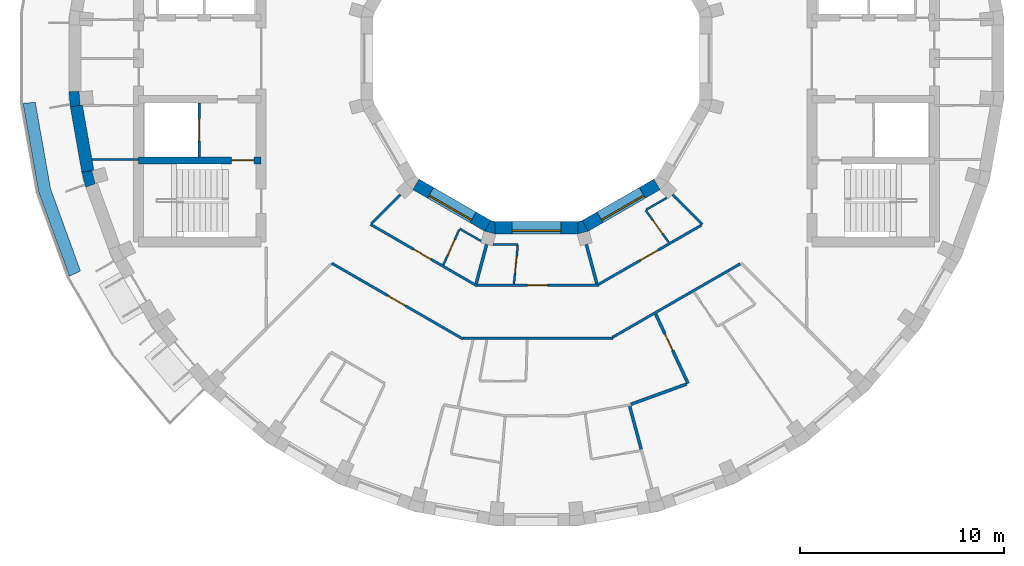
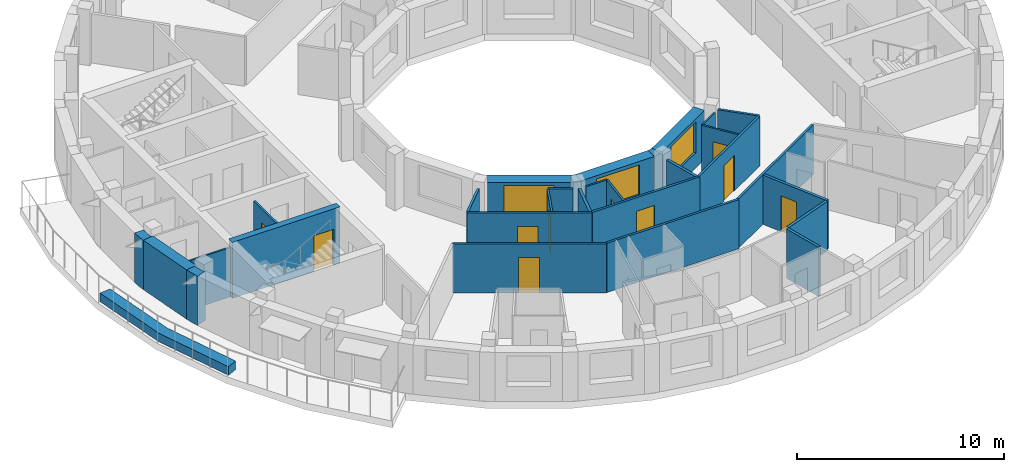
# One storey, part 3 of 10: 31 walls, 10 doors, 3 windows, 13 openings.
"""IFC4 building model written with IfcOpenShell, lengths in metres."""

from ifc_helpers import new_model, si_unit, direction, frame, frame_2d, origin, place, context, subcontext, project, spatial, polyline, rectangle, outline, extrude, material, layer, layer_set, type_object, element, fill, save


model = new_model("IFC4")

# Units and contexts
model_context = context("Model", 3, precision=1e-05, world=origin(), true_north=direction((0.0, 1.0)))
body_context = subcontext(model_context, "Body", "Model", "MODEL_VIEW")
ifc_project = project(units=[si_unit("LENGTHUNIT", "METRE"), si_unit("AREAUNIT", "SQUARE_METRE"), si_unit("VOLUMEUNIT", "CUBIC_METRE"), si_unit("PLANEANGLEUNIT", "RADIAN"), si_unit("MASSUNIT", "GRAM", prefix="KILO")], contexts=[model_context])

# Site, building, storey
site_placement = place(None, origin())
site = spatial("IfcSite", under=ifc_project, at=site_placement, CompositionType="ELEMENT")
building_placement = place(site_placement, origin())
building = spatial("IfcBuilding", under=site, at=building_placement, Name="Saqina Gate Tower", CompositionType="ELEMENT")
storey_placement = place(building_placement, frame((0.0, 0.0, 249.5)))
storey = spatial("IfcBuildingStorey", under=building, at=storey_placement, Name="L71", CompositionType="ELEMENT", Elevation=249.5)

# Walls
ifc_material_1 = material(Name="Brick masonry (buff)", Category="masonry")
wall_type_1 = type_object("IfcWallType", Name="BRICK PIER COPING BUFF", PredefinedType="SOLIDWALL", material=ifc_material_1)
wall_1_placement = place(storey_placement, origin())
element("IfcWall", 1, at=wall_1_placement, inside=storey, type_object=wall_type_1, Name="Pier cap L71 column 19", PredefinedType="SOLIDWALL", context=body_context, shape_type="SweptSolid", body=[
    extrude(outline(polyline([(-22.91259765625, -1.625732421875), (-22.8466796875, -2.377685546875), (-22.255859375, -2.2734375), (-22.361083984375, -2.28271484375), (-22.417724609375, -1.635009765625), (-22.3125, -1.625732421875), (-22.91259765625, -1.625732421875)])), origin(), (0.0, 0.0, 1.0), 2.89990234375),
])
wall_2_placement = place(storey_placement, origin())
element("IfcWall", 2, at=wall_2_placement, inside=storey, type_object=wall_type_1, Name="Pier cap L71 column 20", PredefinedType="SOLIDWALL", context=body_context, shape_type="SweptSolid", body=[
    extrude(outline(polyline([(-22.0869140625, -6.30859375), (-21.52294921875, -6.103515625), (-21.625, -6.130859375), (-21.793212890625, -5.5029296875), (-21.691162109375, -5.4755859375), (-22.281982421875, -5.579833984375), (-22.0869140625, -6.30859375)])), origin(), (0.0, 0.0, 1.0), 2.89990234375),
])
ifc_material_2 = material(Name="Gypsum board on steel studs", Category="steel")
ifc_layer_1 = layer(ifc_material_2, 0.10009765625)
ifc_layer_set_1 = layer_set([ifc_layer_1], Name="CORE PARTITION")
wall_type_2 = type_object("IfcWallType", Name="CORE PARTITION", PredefinedType="PARTITIONING", material=ifc_layer_set_1)
wall_3_placement = place(storey_placement, frame((-19.5, -4.949951171875, 0.0), z_axis=(0.0, 0.0, 1.0), x_axis=(-1.0, 0.0, 0.0)))
element("IfcWall", 3, at=wall_3_placement, inside=storey, type_object=wall_type_2, Name="L71-CP-W04", PredefinedType="PARTITIONING", context=body_context, shape_type="SweptSolid", body=[
    extrude(rectangle(XDim=2.283935546875, YDim=0.10009765625, at=frame_2d((1.14208984375, 0.0))), origin(), (0.0, 0.0, 1.0), 2.89990234375),
])
ifc_material_3 = material(Name="Glazed ceramic tile (dark blue)", Category="ceramic")
ifc_layer_2 = layer(ifc_material_3, 0.60009765625)
ifc_layer_set_2 = layer_set([ifc_layer_2], Name="FW-TILE-CB")
wall_type_3 = type_object("IfcWallType", Name="FW-TILE-CB", PredefinedType="SOLIDWALL", material=ifc_layer_set_2)
wall_4_placement = place(storey_placement, frame((-22.55126953125, -2.325439453125, 0.0), z_axis=(0.0, 0.0, 1.0), x_axis=(0.173656842178, -0.984806225186, 0.0)))
element("IfcWall", 4, at=wall_4_placement, inside=storey, type_object=wall_type_3, Name="Facade wall L71 facet 19", PredefinedType="SOLIDWALL", context=body_context, shape_type="SweptSolid", body=[
    extrude(rectangle(XDim=3.251708984375, YDim=0.60009765625, at=frame_2d((1.6259765625, 0.0))), origin(), (0.0, 0.0, 1.0), 2.89990234375),
])

# Wall, opening, window
ifc_material_4 = material(Name="Glazed ceramic tile", Category="ceramic")
ifc_layer_3 = layer(ifc_material_4, 0.60009765625)
ifc_layer_set_3 = layer_set([ifc_layer_3], Name="IW-TILE")
wall_type_4 = type_object("IfcWallType", Name="IW-TILE", PredefinedType="SOLIDWALL", material=ifc_layer_set_3)
wall_5_placement = place(storey_placement, frame((-5.907470703125, -6.17333984375, 0.0), z_axis=(0.0, 0.0, 1.0), x_axis=(0.866028316509, -0.499994954979, 0.0)))
wall_5 = element("IfcWall", 5, at=wall_5_placement, inside=storey, type_object=wall_type_4, Name="Well wall L71 facet 8", PredefinedType="SOLIDWALL", context=body_context, shape_type="SweptSolid", body=[
    extrude(rectangle(XDim=4.05859375, YDim=0.60009765625, at=frame_2d((2.029296875, 0.0))), origin(), (0.0, 0.0, 1.0), 2.89990234375),
])
opening_1_placement = place(wall_5_placement, frame((0.829345703125, 0.0, 0.89990234375)))
opening_1 = element("IfcOpeningElement", 6, at=opening_1_placement, cuts=wall_5, Name="Opening G21-W32", PredefinedType="OPENING", context=body_context, shape_type="SweptSolid", body=[
    extrude(rectangle(XDim=2.39990234375, YDim=1.800048828125, at=frame_2d((1.199951171875, 0.89990234375))), frame((0.0, 0.31201171875, 0.0), z_axis=(0.0, -1.0, 0.0), x_axis=(1.0, 0.0, 0.0)), (0.0, 0.0, 1.0), 0.6240234375),
])
ifc_material_5 = material(Name="Aluminium glazing", Category="aluminium")
window_type = type_object("IfcWindowType", Name="WN-W", PartitioningType="SINGLE_PANEL", PredefinedType="WINDOW", material=ifc_material_5)
window_1_placement = place(opening_1_placement, origin())
window_1 = element("IfcWindow", 7, at=window_1_placement, inside=storey, type_object=window_type, Name="Well window L71 facet 8", OverallHeight=1.800048828125, OverallWidth=2.39990234375, PartitioningType="SINGLE_PANEL", PredefinedType="WINDOW", context=body_context, shape_type="SweptSolid", body=[
    extrude(rectangle(XDim=2.39990234375, YDim=1.800048828125, at=frame_2d((1.199951171875, 0.89990234375))), frame((0.0, -0.119873046875, 0.0), z_axis=(0.0, -1.0, 0.0), x_axis=(1.0, 0.0, 0.0)), (0.0, 0.0, 1.0), 0.06005859375),
])
fill(opening_1, window_1)

wall_6_placement = place(storey_placement, frame((-2.029296875, -8.300048828125, 0.0), z_axis=(0.0, 0.0, 1.0), x_axis=(1.0, 0.0, 0.0)))
wall_6 = element("IfcWall", 8, at=wall_6_placement, inside=storey, type_object=wall_type_4, Name="Well wall L71 facet 9", PredefinedType="SOLIDWALL", context=body_context, shape_type="SweptSolid", body=[
    extrude(rectangle(XDim=4.05859375, YDim=0.60009765625, at=frame_2d((2.029296875, 0.0))), origin(), (0.0, 0.0, 1.0), 2.89990234375),
])
opening_2_placement = place(wall_6_placement, frame((0.829345703125, 0.0, 0.89990234375)))
opening_2 = element("IfcOpeningElement", 9, at=opening_2_placement, cuts=wall_6, Name="Opening G21-W33", PredefinedType="OPENING", context=body_context, shape_type="SweptSolid", body=[
    extrude(rectangle(XDim=2.39990234375, YDim=1.800048828125, at=frame_2d((1.199951171875, 0.89990234375))), frame((0.0, 0.31201171875, 0.0), z_axis=(0.0, -1.0, 0.0), x_axis=(1.0, 0.0, 0.0)), (0.0, 0.0, 1.0), 0.6240234375),
])
window_2_placement = place(opening_2_placement, origin())
window_2 = element("IfcWindow", 10, at=window_2_placement, inside=storey, type_object=window_type, Name="Well window L71 facet 9", OverallHeight=1.800048828125, OverallWidth=2.39990234375, PartitioningType="SINGLE_PANEL", PredefinedType="WINDOW", context=body_context, shape_type="SweptSolid", body=[
    extrude(rectangle(XDim=2.39990234375, YDim=1.800048828125, at=frame_2d((1.199951171875, 0.89990234375))), frame((0.0, -0.119873046875, 0.0), z_axis=(0.0, -1.0, 0.0), x_axis=(1.0, 0.0, 0.0)), (0.0, 0.0, 1.0), 0.06005859375),
])
fill(opening_2, window_2)

wall_7_placement = place(storey_placement, frame((2.392578125, -8.20263671875, 0.0), z_axis=(0.0, 0.0, 1.0), x_axis=(0.866028316509, 0.499994954979, 0.0)))
wall_7 = element("IfcWall", 11, at=wall_7_placement, inside=storey, type_object=wall_type_4, Name="Well wall L71 facet 10", PredefinedType="SOLIDWALL", context=body_context, shape_type="SweptSolid", body=[
    extrude(rectangle(XDim=4.05859375, YDim=0.60009765625, at=frame_2d((2.029296875, 0.0))), origin(), (0.0, 0.0, 1.0), 2.89990234375),
])
opening_3_placement = place(wall_7_placement, frame((0.829345703125, 0.0, 0.89990234375)))
opening_3 = element("IfcOpeningElement", 12, at=opening_3_placement, cuts=wall_7, Name="Opening G21-W34", PredefinedType="OPENING", context=body_context, shape_type="SweptSolid", body=[
    extrude(rectangle(XDim=2.39990234375, YDim=1.800048828125, at=frame_2d((1.199951171875, 0.89990234375))), frame((0.0, 0.31201171875, 0.0), z_axis=(0.0, -1.0, 0.0), x_axis=(1.0, 0.0, 0.0)), (0.0, 0.0, 1.0), 0.6240234375),
])
window_3_placement = place(opening_3_placement, origin())
window_3 = element("IfcWindow", 13, at=window_3_placement, inside=storey, type_object=window_type, Name="Well window L71 facet 10", OverallHeight=1.800048828125, OverallWidth=2.39990234375, PartitioningType="SINGLE_PANEL", PredefinedType="WINDOW", context=body_context, shape_type="SweptSolid", body=[
    extrude(rectangle(XDim=2.39990234375, YDim=1.800048828125, at=frame_2d((1.199951171875, 0.89990234375))), frame((0.0, -0.119873046875, 0.0), z_axis=(0.0, -1.0, 0.0), x_axis=(1.0, 0.0, 0.0)), (0.0, 0.0, 1.0), 0.06005859375),
])
fill(opening_3, window_3)

# Wall, opening, door
ifc_material_6 = material(Name="Gypsum board on steel studs, 100 mm", Category="steel")
ifc_layer_4 = layer(ifc_material_6, 0.10009765625)
ifc_layer_set_4 = layer_set([ifc_layer_4], Name="PARTITION 100")
wall_type_5 = type_object("IfcWallType", Name="PARTITION 100", PredefinedType="PARTITIONING", material=ifc_layer_set_4)
wall_8_placement = place(storey_placement, frame((5.344970703125, -7.43310546875, 0.0), z_axis=(0.0, 0.0, 1.0), x_axis=(0.583667050837, -0.811993087266, 0.0)))
wall_8 = element("IfcWall", 14, at=wall_8_placement, inside=storey, type_object=wall_type_5, Name="PARTITION PW3-12", PredefinedType="PARTITIONING", context=body_context, shape_type="SweptSolid", body=[
    extrude(rectangle(XDim=1.947021484375, YDim=0.10009765625, at=frame_2d((0.9736328125, 0.0))), origin(), (0.0, 0.0, 1.0), 2.89990234375),
])
opening_4_placement = place(wall_8_placement, frame((0.60498046875, 0.0, 0.0)))
opening_4 = element("IfcOpeningElement", 15, at=opening_4_placement, cuts=wall_8, Name="Opening G21-D42", PredefinedType="OPENING", context=body_context, shape_type="SweptSolid", body=[
    extrude(rectangle(XDim=0.800048828125, YDim=2.10009765625, at=frame_2d((0.39990234375, 1.050048828125))), frame((0.0, 0.06201171875, 0.0), z_axis=(0.0, -1.0, 0.0), x_axis=(1.0, 0.0, 0.0)), (0.0, 0.0, 1.0), 0.1240234375),
])
ifc_material_7 = material(Name="Timber door leaf, 800 mm", Category="wood")
door_type_1 = type_object("IfcDoorType", Name="DOOR 800 TIMBER", OperationType="SINGLE_SWING_LEFT", PredefinedType="DOOR", material=ifc_material_7)
door_1_placement = place(opening_4_placement, origin())
door_1 = element("IfcDoor", 16, at=door_1_placement, inside=storey, type_object=door_type_1, Name="DOOR G21-D42", OperationType="SINGLE_SWING_LEFT", OverallHeight=2.10009765625, OverallWidth=0.800048828125, PredefinedType="DOOR", context=body_context, shape_type="SweptSolid", body=[
    extrude(rectangle(XDim=0.800048828125, YDim=2.10009765625, at=frame_2d((0.39990234375, 1.050048828125))), frame((0.0, 0.02490234375, 0.0), z_axis=(0.0, -1.0, 0.0), x_axis=(1.0, 0.0, 0.0)), (0.0, 0.0, 1.0), 0.050048828125),
])
fill(opening_4, door_1)

# Walls
wall_9_placement = place(storey_placement, frame((-3.764892578125, -8.345947265625, 0.0), z_axis=(0.0, 0.0, 1.0), x_axis=(0.866057664494, -0.499944118649, 0.0)))
element("IfcWall", 17, at=wall_9_placement, inside=storey, type_object=wall_type_5, Name="PARTITION PW3-16", PredefinedType="PARTITIONING", context=body_context, shape_type="SweptSolid", body=[
    extrude(rectangle(XDim=1.207763671875, YDim=0.10009765625, at=frame_2d((0.60400390625, 0.0))), origin(), (0.0, 0.0, 1.0), 2.89990234375),
])
wall_10_placement = place(storey_placement, frame((-2.1201171875, -9.110107421875, 0.0), z_axis=(0.0, 0.0, 1.0), x_axis=(1.0, 0.0, 0.0)))
element("IfcWall", 18, at=wall_10_placement, inside=storey, type_object=wall_type_5, Name="PARTITION PW3-25", PredefinedType="PARTITIONING", context=body_context, shape_type="SweptSolid", body=[
    extrude(rectangle(XDim=1.2080078125, YDim=0.10009765625, at=frame_2d((0.60400390625, 0.0))), origin(), (0.0, 0.0, 1.0), 2.89990234375),
])
wall_11_placement = place(storey_placement, frame((5.388427734375, -7.407958984375, 0.0), z_axis=(0.0, 0.0, 1.0), x_axis=(0.866132916787, 0.499813735764, 0.0)))
element("IfcWall", 19, at=wall_11_placement, inside=storey, type_object=wall_type_5, Name="PARTITION PW3-33", PredefinedType="PARTITIONING", context=body_context, shape_type="SweptSolid", body=[
    extrude(rectangle(XDim=1.15771484375, YDim=0.10009765625, at=frame_2d((0.578857421875, 0.0))), origin(), (0.0, 0.0, 1.0), 2.89990234375),
])

# Wall, opening, door
wall_12_placement = place(storey_placement, frame((-4.566162109375, -10.12060546875, 0.0), z_axis=(0.0, 0.0, 1.0), x_axis=(0.411445339517, 0.911434436803, 0.0)))
wall_12 = element("IfcWall", 20, at=wall_12_placement, inside=storey, type_object=wall_type_5, Name="PARTITION PW3-42", PredefinedType="PARTITIONING", context=body_context, shape_type="SweptSolid", body=[
    extrude(rectangle(XDim=1.89697265625, YDim=0.10009765625, at=frame_2d((0.948486328125, 0.0))), origin(), (0.0, 0.0, 1.0), 2.89990234375),
])
opening_5_placement = place(wall_12_placement, frame((0.5419921875, 0.0, 0.0)))
opening_5 = element("IfcOpeningElement", 21, at=opening_5_placement, cuts=wall_12, Name="Opening G21-D28", PredefinedType="OPENING", context=body_context, shape_type="SweptSolid", body=[
    extrude(rectangle(XDim=0.800048828125, YDim=2.10009765625, at=frame_2d((0.39990234375, 1.050048828125))), frame((0.0, 0.06201171875, 0.0), z_axis=(0.0, -1.0, 0.0), x_axis=(1.0, 0.0, 0.0)), (0.0, 0.0, 1.0), 0.1240234375),
])
door_2_placement = place(opening_5_placement, frame((0.800048828125, 0.0, 0.0), z_axis=(0.0, 0.0, 1.0), x_axis=(-1.0, 0.0, 0.0)))
door_2 = element("IfcDoor", 22, at=door_2_placement, inside=storey, type_object=door_type_1, Name="DOOR G21-D28", OperationType="SINGLE_SWING_LEFT", OverallHeight=2.10009765625, OverallWidth=0.800048828125, PredefinedType="DOOR", context=body_context, shape_type="SweptSolid", body=[
    extrude(rectangle(XDim=0.800048828125, YDim=2.10009765625, at=frame_2d((0.39990234375, 1.050048828125))), frame((0.0, 0.02490234375, 0.0), z_axis=(0.0, -1.0, 0.0), x_axis=(1.0, 0.0, 0.0)), (0.0, 0.0, 1.0), 0.050048828125),
])
fill(opening_5, door_2)

wall_13_placement = place(storey_placement, frame((-1.105712890625, -11.0478515625, 0.0), z_axis=(0.0, 0.0, 1.0), x_axis=(0.09945276516, 0.995042284278, 0.0)))
wall_13 = element("IfcWall", 23, at=wall_13_placement, inside=storey, type_object=wall_type_5, Name="PARTITION PW3-48", PredefinedType="PARTITIONING", context=body_context, shape_type="SweptSolid", body=[
    extrude(rectangle(XDim=1.897705078125, YDim=0.10009765625, at=frame_2d((0.94873046875, 0.0))), origin(), (0.0, 0.0, 1.0), 2.89990234375),
])
opening_6_placement = place(wall_13_placement, frame((0.54248046875, 0.0, 0.0)))
opening_6 = element("IfcOpeningElement", 24, at=opening_6_placement, cuts=wall_13, Name="Opening G21-D33", PredefinedType="OPENING", context=body_context, shape_type="SweptSolid", body=[
    extrude(rectangle(XDim=0.800048828125, YDim=2.10009765625, at=frame_2d((0.39990234375, 1.050048828125))), frame((0.0, 0.06201171875, 0.0), z_axis=(0.0, -1.0, 0.0), x_axis=(1.0, 0.0, 0.0)), (0.0, 0.0, 1.0), 0.1240234375),
])
door_3_placement = place(opening_6_placement, frame((0.800048828125, 0.0, 0.0), z_axis=(0.0, 0.0, 1.0), x_axis=(-1.0, 0.0, 0.0)))
door_3 = element("IfcDoor", 25, at=door_3_placement, inside=storey, type_object=door_type_1, Name="DOOR G21-D33", OperationType="SINGLE_SWING_RIGHT", OverallHeight=2.10009765625, OverallWidth=0.800048828125, PredefinedType="DOOR", context=body_context, shape_type="SweptSolid", body=[
    extrude(rectangle(XDim=0.800048828125, YDim=2.10009765625, at=frame_2d((0.39990234375, 1.050048828125))), frame((0.0, 0.02490234375, 0.0), z_axis=(0.0, -1.0, 0.0), x_axis=(1.0, 0.0, 0.0)), (0.0, 0.0, 1.0), 0.050048828125),
])
fill(opening_6, door_3)

# Wall
ifc_material_8 = material(Name="Gypsum board on steel studs, 125 mm, fire rated", Category="steel")
ifc_layer_5 = layer(ifc_material_8, 0.125)
ifc_layer_set_5 = layer_set([ifc_layer_5], Name="PARTITION EI 30 125")
wall_type_6 = type_object("IfcWallType", Name="PARTITION EI 30 125", PredefinedType="PARTITIONING", material=ifc_layer_set_5)
wall_14_placement = place(storey_placement, frame((6.6767578125, -6.6767578125, 0.0), z_axis=(0.0, 0.0, 1.0), x_axis=(0.707106781187, -0.707106781187, 0.0)))
element("IfcWall", 26, at=wall_14_placement, inside=storey, type_object=wall_type_6, Name="PARTITION PW1-06", PredefinedType="PARTITIONING", context=body_context, shape_type="SweptSolid", body=[
    extrude(rectangle(XDim=2.0595703125, YDim=0.125, at=frame_2d((1.02978515625, 0.0))), origin(), (0.0, 0.0, 1.0), 2.89990234375),
])

# Wall, opening, door
wall_15_placement = place(storey_placement, frame((-10.035888671875, -10.035888671875, 0.0), z_axis=(0.0, 0.0, 1.0), x_axis=(0.865964194244, -0.500106003051, 0.0)))
wall_15 = element("IfcWall", 27, at=wall_15_placement, inside=storey, type_object=wall_type_6, Name="PARTITION PW1-09", PredefinedType="PARTITIONING", context=body_context, shape_type="SweptSolid", body=[
    extrude(rectangle(XDim=7.419921875, YDim=0.125, at=frame_2d((3.7099609375, 0.0))), origin(), (0.0, 0.0, 1.0), 2.89990234375),
])
opening_7_placement = place(wall_15_placement, frame((3.17333984375, 0.0, 0.0)))
opening_7 = element("IfcOpeningElement", 28, at=opening_7_placement, cuts=wall_15, Name="Opening G21-D26", PredefinedType="OPENING", context=body_context, shape_type="SweptSolid", body=[
    extrude(rectangle(XDim=1.0, YDim=2.10009765625, at=frame_2d((0.5, 1.050048828125))), frame((0.0, 0.074462890625, 0.0), z_axis=(0.0, -1.0, 0.0), x_axis=(1.0, 0.0, 0.0)), (0.0, 0.0, 1.0), 0.14892578125),
])
ifc_material_9 = material(Name="Fire door leaf EI 30, 1000 mm")
door_type_2 = type_object("IfcDoorType", Name="DOOR 1000 EI 30", OperationType="SINGLE_SWING_LEFT", PredefinedType="DOOR", material=ifc_material_9)
door_4_placement = place(opening_7_placement, frame((1.0, 0.0, 0.0), z_axis=(0.0, 0.0, 1.0), x_axis=(-1.0, 0.0, 0.0)))
door_4 = element("IfcDoor", 29, at=door_4_placement, inside=storey, type_object=door_type_2, Name="DOOR G21-D26", OperationType="SINGLE_SWING_RIGHT", OverallHeight=2.10009765625, OverallWidth=1.0, PredefinedType="DOOR", context=body_context, shape_type="SweptSolid", body=[
    extrude(rectangle(XDim=1.0, YDim=2.10009765625, at=frame_2d((0.5, 1.050048828125))), frame((0.0, 0.02490234375, 0.0), z_axis=(0.0, -1.0, 0.0), x_axis=(1.0, 0.0, 0.0)), (0.0, 0.0, 1.0), 0.050048828125),
])
fill(opening_7, door_4)

wall_16_placement = place(storey_placement, frame((-8.133056640625, -8.133056640625, 0.0), z_axis=(0.0, 0.0, 1.0), x_axis=(0.866022982797, -0.500004193249, 0.0)))
wall_16 = element("IfcWall", 30, at=wall_16_placement, inside=storey, type_object=wall_type_6, Name="PARTITION PW1-10", PredefinedType="PARTITIONING", context=body_context, shape_type="SweptSolid", body=[
    extrude(rectangle(XDim=6.02587890625, YDim=0.125, at=frame_2d((3.012939453125, 0.0))), origin(), (0.0, 0.0, 1.0), 2.89990234375),
])
opening_8_placement = place(wall_16_placement, frame((2.42626953125, 0.0, 0.0)))
opening_8 = element("IfcOpeningElement", 31, at=opening_8_placement, cuts=wall_16, Name="Opening G21-D25", PredefinedType="OPENING", context=body_context, shape_type="SweptSolid", body=[
    extrude(rectangle(XDim=1.0, YDim=2.10009765625, at=frame_2d((0.5, 1.050048828125))), frame((0.0, 0.074462890625, 0.0), z_axis=(0.0, -1.0, 0.0), x_axis=(1.0, 0.0, 0.0)), (0.0, 0.0, 1.0), 0.14892578125),
])
door_5_placement = place(opening_8_placement, origin())
door_5 = element("IfcDoor", 32, at=door_5_placement, inside=storey, type_object=door_type_2, Name="DOOR G21-D25", OperationType="SINGLE_SWING_RIGHT", OverallHeight=2.10009765625, OverallWidth=1.0, PredefinedType="DOOR", context=body_context, shape_type="SweptSolid", body=[
    extrude(rectangle(XDim=1.0, YDim=2.10009765625, at=frame_2d((0.5, 1.050048828125))), frame((0.0, 0.02490234375, 0.0), z_axis=(0.0, -1.0, 0.0), x_axis=(1.0, 0.0, 0.0)), (0.0, 0.0, 1.0), 0.050048828125),
])
fill(opening_8, door_5)

# Wall
wall_17_placement = place(storey_placement, frame((-3.610595703125, -13.7099609375, 0.0), z_axis=(0.0, 0.0, 1.0), x_axis=(1.0, 0.0, 0.0)))
element("IfcWall", 33, at=wall_17_placement, inside=storey, type_object=wall_type_6, Name="PARTITION PW1-17", PredefinedType="PARTITIONING", context=body_context, shape_type="SweptSolid", body=[
    extrude(rectangle(XDim=7.356689453125, YDim=0.125, at=frame_2d((3.67822265625, 0.0))), origin(), (0.0, 0.0, 1.0), 2.89990234375),
])

# Wall, opening, door
wall_18_placement = place(storey_placement, frame((-2.91455078125, -11.110107421875, 0.0), z_axis=(0.0, 0.0, 1.0), x_axis=(1.0, 0.0, 0.0)))
wall_18 = element("IfcWall", 34, at=wall_18_placement, inside=storey, type_object=wall_type_6, Name="PARTITION PW1-18", PredefinedType="PARTITIONING", context=body_context, shape_type="SweptSolid", body=[
    extrude(rectangle(XDim=5.97802734375, YDim=0.125, at=frame_2d((2.989013671875, 0.0))), origin(), (0.0, 0.0, 1.0), 2.89990234375),
])
opening_9_placement = place(wall_18_placement, frame((2.465087890625, 0.0, 0.0)))
opening_9 = element("IfcOpeningElement", 35, at=opening_9_placement, cuts=wall_18, Name="Opening G21-D35", PredefinedType="OPENING", context=body_context, shape_type="SweptSolid", body=[
    extrude(rectangle(XDim=1.0, YDim=2.10009765625, at=frame_2d((0.5, 1.050048828125))), frame((0.0, 0.074462890625, 0.0), z_axis=(0.0, -1.0, 0.0), x_axis=(1.0, 0.0, 0.0)), (0.0, 0.0, 1.0), 0.14892578125),
])
door_6_placement = place(opening_9_placement, frame((1.0, 0.0, 0.0), z_axis=(0.0, 0.0, 1.0), x_axis=(-1.0, 0.0, 0.0)))
door_6 = element("IfcDoor", 36, at=door_6_placement, inside=storey, type_object=door_type_2, Name="DOOR G21-D35", OperationType="SINGLE_SWING_RIGHT", OverallHeight=2.10009765625, OverallWidth=1.0, PredefinedType="DOOR", context=body_context, shape_type="SweptSolid", body=[
    extrude(rectangle(XDim=1.0, YDim=2.10009765625, at=frame_2d((0.5, 1.050048828125))), frame((0.0, 0.02490234375, 0.0), z_axis=(0.0, -1.0, 0.0), x_axis=(1.0, 0.0, 0.0)), (0.0, 0.0, 1.0), 0.050048828125),
])
fill(opening_9, door_6)

# Wall
wall_19_placement = place(storey_placement, frame((3.723388671875, -13.67041015625, 0.0), z_axis=(0.0, 0.0, 1.0), x_axis=(0.866630430442, 0.498950595783, 0.0)))
element("IfcWall", 37, at=wall_19_placement, inside=storey, type_object=wall_type_6, Name="PARTITION PW1-23", PredefinedType="PARTITIONING", context=body_context, shape_type="SweptSolid", body=[
    extrude(rectangle(XDim=7.2216796875, YDim=0.125, at=frame_2d((3.61083984375, 0.0))), origin(), (0.0, 0.0, 1.0), 2.89990234375),
])

# Wall, opening, door
wall_20_placement = place(storey_placement, frame((3.0419921875, -11.072509765625, 0.0), z_axis=(0.0, 0.0, 1.0), x_axis=(0.866951194634, 0.498393043814, 0.0)))
wall_20 = element("IfcWall", 38, at=wall_20_placement, inside=storey, type_object=wall_type_6, Name="PARTITION PW1-24", PredefinedType="PARTITIONING", context=body_context, shape_type="SweptSolid", body=[
    extrude(rectangle(XDim=5.816162109375, YDim=0.125, at=frame_2d((2.908203125, 0.0))), origin(), (0.0, 0.0, 1.0), 2.89990234375),
])
opening_10_placement = place(wall_20_placement, frame((2.351318359375, 0.0, 0.0)))
opening_10 = element("IfcOpeningElement", 39, at=opening_10_placement, cuts=wall_20, Name="Opening G21-D38", PredefinedType="OPENING", context=body_context, shape_type="SweptSolid", body=[
    extrude(rectangle(XDim=1.0, YDim=2.10009765625, at=frame_2d((0.5, 1.050048828125))), frame((0.0, 0.074462890625, 0.0), z_axis=(0.0, -1.0, 0.0), x_axis=(1.0, 0.0, 0.0)), (0.0, 0.0, 1.0), 0.14892578125),
])
door_7_placement = place(opening_10_placement, origin())
door_7 = element("IfcDoor", 40, at=door_7_placement, inside=storey, type_object=door_type_2, Name="DOOR G21-D38", OperationType="SINGLE_SWING_RIGHT", OverallHeight=2.10009765625, OverallWidth=1.0, PredefinedType="DOOR", context=body_context, shape_type="SweptSolid", body=[
    extrude(rectangle(XDim=1.0, YDim=2.10009765625, at=frame_2d((0.5, 1.050048828125))), frame((0.0, 0.02490234375, 0.0), z_axis=(0.0, -1.0, 0.0), x_axis=(1.0, 0.0, 0.0)), (0.0, 0.0, 1.0), 0.050048828125),
])
fill(opening_10, door_7)

# Walls
wall_21_placement = place(storey_placement, frame((-8.0888671875, -8.0888671875, 0.0), z_axis=(0.0, 0.0, 1.0), x_axis=(0.707106781187, 0.707106781187, 0.0)))
element("IfcWall", 41, at=wall_21_placement, inside=storey, type_object=wall_type_6, Name="PARTITION PW1-28", PredefinedType="PARTITIONING", context=body_context, shape_type="SweptSolid", body=[
    extrude(rectangle(XDim=1.9970703125, YDim=0.125, at=frame_2d((0.99853515625, 0.0))), origin(), (0.0, 0.0, 1.0), 2.89990234375),
])
ifc_material_10 = material(Name="Gypsum board on steel studs, 150 mm, fire rated", Category="steel")
ifc_layer_6 = layer(ifc_material_10, 0.14990234375)
ifc_layer_set_6 = layer_set([ifc_layer_6], Name="PARTITION EI 60 150")
wall_type_7 = type_object("IfcWallType", Name="PARTITION EI 60 150", PredefinedType="PARTITIONING", material=ifc_layer_set_6)
wall_22_placement = place(storey_placement, frame((4.569580078125, -17.052490234375, 0.0), z_axis=(0.0, 0.0, 1.0), x_axis=(0.257984618888, -0.966149023918, 0.0)))
element("IfcWall", 42, at=wall_22_placement, inside=storey, type_object=wall_type_7, Name="PARTITION PW2-02", PredefinedType="PARTITIONING", context=body_context, shape_type="SweptSolid", body=[
    extrude(rectangle(XDim=2.1708984375, YDim=0.14990234375, at=frame_2d((1.08544921875, 0.0))), origin(), (0.0, 0.0, 1.0), 2.89990234375),
])
wall_23_placement = place(storey_placement, frame((2.444091796875, -9.120361328125, 0.0), z_axis=(0.0, 0.0, 1.0), x_axis=(0.258894940689, -0.965905486932, 0.0)))
element("IfcWall", 43, at=wall_23_placement, inside=storey, type_object=wall_type_7, Name="PARTITION PW2-03", PredefinedType="PARTITIONING", context=body_context, shape_type="SweptSolid", body=[
    extrude(rectangle(XDim=1.997314453125, YDim=0.14990234375, at=frame_2d((0.99853515625, 0.0))), origin(), (0.0, 0.0, 1.0), 2.89990234375),
])

# Wall, opening, door
wall_24_placement = place(storey_placement, frame((5.841796875, -12.530029296875, 0.0), z_axis=(0.0, 0.0, 1.0), x_axis=(0.422999465209, -0.906129931319, 0.0)))
wall_24 = element("IfcWall", 44, at=wall_24_placement, inside=storey, type_object=wall_type_7, Name="PARTITION PW2-04", PredefinedType="PARTITIONING", context=body_context, shape_type="SweptSolid", body=[
    extrude(rectangle(XDim=3.75146484375, YDim=0.14990234375, at=frame_2d((1.875732421875, 0.0))), origin(), (0.0, 0.0, 1.0), 2.89990234375),
])
opening_11_placement = place(wall_24_placement, frame((1.067626953125, 0.0, 0.0)))
opening_11 = element("IfcOpeningElement", 45, at=opening_11_placement, cuts=wall_24, Name="Opening G21-D37", PredefinedType="OPENING", context=body_context, shape_type="SweptSolid", body=[
    extrude(rectangle(XDim=0.89990234375, YDim=2.10009765625, at=frame_2d((0.449951171875, 1.050048828125))), frame((0.0, 0.0869140625, 0.0), z_axis=(0.0, -1.0, 0.0), x_axis=(1.0, 0.0, 0.0)), (0.0, 0.0, 1.0), 0.173828125),
])
ifc_material_11 = material(Name="Fire door leaf EI 30, 900 mm")
door_type_3 = type_object("IfcDoorType", Name="DOOR 900 EI 30", OperationType="SINGLE_SWING_LEFT", PredefinedType="DOOR", material=ifc_material_11)
door_8_placement = place(opening_11_placement, origin())
door_8 = element("IfcDoor", 46, at=door_8_placement, inside=storey, type_object=door_type_3, Name="DOOR G21-D37", OperationType="SINGLE_SWING_LEFT", OverallHeight=2.10009765625, OverallWidth=0.89990234375, PredefinedType="DOOR", context=body_context, shape_type="SweptSolid", body=[
    extrude(rectangle(XDim=0.89990234375, YDim=2.10009765625, at=frame_2d((0.449951171875, 1.050048828125))), frame((0.0, 0.02490234375, 0.0), z_axis=(0.0, -1.0, 0.0), x_axis=(1.0, 0.0, 0.0)), (0.0, 0.0, 1.0), 0.050048828125),
])
fill(opening_11, door_8)

# Walls
wall_25_placement = place(storey_placement, frame((4.62060546875, -16.95458984375, 0.0), z_axis=(0.0, 0.0, 1.0), x_axis=(0.939663701092, 0.342099589082, 0.0)))
element("IfcWall", 47, at=wall_25_placement, inside=storey, type_object=wall_type_7, Name="PARTITION PW2-07", PredefinedType="PARTITIONING", context=body_context, shape_type="SweptSolid", body=[
    extrude(rectangle(XDim=2.913818359375, YDim=0.14990234375, at=frame_2d((1.45703125, 0.0))), origin(), (0.0, 0.0, 1.0), 2.89990234375),
])
wall_26_placement = place(storey_placement, frame((-2.960693359375, -11.049560546875, 0.0), z_axis=(0.0, 0.0, 1.0), x_axis=(0.258780892738, 0.965936048377, 0.0)))
element("IfcWall", 48, at=wall_26_placement, inside=storey, type_object=wall_type_7, Name="PARTITION PW2-09", PredefinedType="PARTITIONING", context=body_context, shape_type="SweptSolid", body=[
    extrude(rectangle(XDim=1.997314453125, YDim=0.14990234375, at=frame_2d((0.99853515625, 0.0))), origin(), (0.0, 0.0, 1.0), 2.89990234375),
])
ifc_material_12 = material(Name="Brick masonry (red)", Category="masonry")
ifc_layer_7 = layer(ifc_material_12, 0.60009765625)
ifc_layer_set_7 = layer_set([ifc_layer_7], Name="PL-PLANTER")
wall_type_8 = type_object("IfcWallType", Name="PL-PLANTER", PredefinedType="PARAPET", material=ifc_layer_set_7)
wall_27_placement = place(storey_placement, origin())
element("IfcWall", 49, at=wall_27_placement, inside=storey, type_object=wall_type_8, Name="Planter L71", PredefinedType="PARAPET", context=body_context, shape_type="SweptSolid", body=[
    extrude(outline(polyline([(-25.16259765625, -2.201416015625), (-24.39794921875, -6.537353515625), (-22.89208984375, -10.6748046875), (-22.34619140625, -10.420166015625), (-23.816162109375, -6.381591796875), (-24.5625, -2.14892578125), (-25.16259765625, -2.201416015625)])), origin(), (0.0, 0.0, 1.0), 0.5),
])

# Wall, opening, door
ifc_material_13 = material(Name="Autoclaved aerated concrete block", Category="concrete")
ifc_layer_8 = layer(ifc_material_13, 0.1201171875)
ifc_layer_set_8 = layer_set([ifc_layer_8], Name="SHAFT PARTITION")
wall_type_9 = type_object("IfcWallType", Name="SHAFT PARTITION", PredefinedType="PARTITIONING", material=ifc_layer_set_8)
wall_28_placement = place(storey_placement, frame((-16.530029296875, -4.824951171875, 0.0), z_axis=(0.0, 0.0, 1.0), x_axis=(0.0, 1.0, 0.0)))
wall_28 = element("IfcWall", 50, at=wall_28_placement, inside=storey, type_object=wall_type_9, Name="L71-CP-W09", PredefinedType="PARTITIONING", context=body_context, shape_type="SweptSolid", body=[
    extrude(rectangle(XDim=2.64990234375, YDim=0.1201171875, at=frame_2d((1.324951171875, 0.0))), origin(), (0.0, 0.0, 1.0), 2.89990234375),
])
opening_12_placement = place(wall_28_placement, frame((0.77490234375, 0.0, 0.0)))
opening_12 = element("IfcOpeningElement", 51, at=opening_12_placement, cuts=wall_28, Name="Opening G21-LD6", PredefinedType="OPENING", context=body_context, shape_type="SweptSolid", body=[
    extrude(rectangle(XDim=1.10009765625, YDim=2.10009765625, at=frame_2d((0.550048828125, 1.050048828125))), frame((0.0, 0.072021484375, 0.0), z_axis=(0.0, -1.0, 0.0), x_axis=(1.0, 0.0, 0.0)), (0.0, 0.0, 1.0), 0.14404296875),
])
ifc_material_14 = material(Name="Stainless steel", Category="steel")
door_type_4 = type_object("IfcDoorType", Name="LANDING DOOR", OperationType="DOUBLE_DOOR_SLIDING", PredefinedType="DOOR", material=ifc_material_14)
door_9_placement = place(opening_12_placement, origin())
door_9 = element("IfcDoor", 52, at=door_9_placement, inside=storey, type_object=door_type_4, Name="LANDING DOOR FF2", OperationType="DOUBLE_DOOR_SLIDING", OverallHeight=2.10009765625, OverallWidth=1.10009765625, PredefinedType="DOOR", context=body_context, shape_type="SweptSolid", body=[
    extrude(rectangle(XDim=1.10009765625, YDim=2.10009765625, at=frame_2d((0.550048828125, 1.050048828125))), frame((0.0, 0.02490234375, 0.0), z_axis=(0.0, -1.0, 0.0), x_axis=(1.0, 0.0, 0.0)), (0.0, 0.0, 1.0), 0.050048828125),
])
fill(opening_12, door_9)

ifc_material_15 = material(Name="Concrete C60/75", Category="concrete")
ifc_layer_9 = layer(ifc_material_15, 0.35009765625)
ifc_layer_set_9 = layer_set([ifc_layer_9], Name="Concrete C60/75")
wall_type_10 = type_object("IfcWallType", Name="STR-CORE WALL-D-I", PredefinedType="SHEAR", material=ifc_layer_set_9)
wall_29_placement = place(storey_placement, frame((-13.5, -5.0, 0.0), z_axis=(0.0, 0.0, 1.0), x_axis=(-1.0, 0.0, 0.0)))
wall_29 = element("IfcWall", 53, at=wall_29_placement, inside=storey, type_object=wall_type_10, Name="CORE WALL L71 W-X2", PredefinedType="SHEAR", context=body_context, shape_type="SweptSolid", body=[
    extrude(rectangle(XDim=6.0, YDim=0.35009765625, at=frame_2d((3.0, 0.0))), origin(), (0.0, 0.0, 1.0), 3.300048828125),
])
opening_13_placement = place(wall_29_placement, frame((0.35009765625, 0.0, 0.0)))
opening_13 = element("IfcOpeningElement", 54, at=opening_13_placement, cuts=wall_29, Name="Opening G21-D108", PredefinedType="OPENING", context=body_context, shape_type="SweptSolid", body=[
    extrude(rectangle(XDim=1.10009765625, YDim=2.10009765625, at=frame_2d((0.550048828125, 1.050048828125))), frame((0.0, 0.18701171875, 0.0), z_axis=(0.0, -1.0, 0.0), x_axis=(1.0, 0.0, 0.0)), (0.0, 0.0, 1.0), 0.3740234375),
])
ifc_material_16 = material(Name="Steel", Category="steel")
door_type_5 = type_object("IfcDoorType", Name="FIRE LOBBY DOOR EI 60 WIDE", OperationType="SINGLE_SWING_LEFT", PredefinedType="DOOR", material=ifc_material_16)
door_10_placement = place(opening_13_placement, origin())
door_10 = element("IfcDoor", 55, at=door_10_placement, inside=storey, type_object=door_type_5, Name="L71-CD-W19", OperationType="SINGLE_SWING_LEFT", OverallHeight=2.10009765625, OverallWidth=1.10009765625, PredefinedType="DOOR", context=body_context, shape_type="SweptSolid", body=[
    extrude(rectangle(XDim=1.10009765625, YDim=2.10009765625, at=frame_2d((0.550048828125, 1.050048828125))), frame((0.0, 0.02490234375, 0.0), z_axis=(0.0, -1.0, 0.0), x_axis=(1.0, 0.0, 0.0)), (0.0, 0.0, 1.0), 0.050048828125),
])
fill(opening_13, door_10)

# Walls
ifc_material_17 = material(Name="Glazed ceramic tile", Category="ceramic")
wall_type_11 = type_object("IfcWallType", Name="TILE PIER COPING", PredefinedType="SOLIDWALL", material=ifc_material_17)
wall_30_placement = place(storey_placement, origin())
element("IfcWall", 56, at=wall_30_placement, inside=storey, type_object=wall_type_11, Name="Well pier cap L71 column 9", PredefinedType="SOLIDWALL", context=body_context, shape_type="SweptSolid", body=[
    extrude(outline(polyline([(-2.029296875, -8.60009765625), (-2.029296875, -8.0), (-2.242431640625, -7.94287109375), (-2.54248046875, -8.46240234375), (-2.029296875, -8.60009765625)])), origin(), (0.0, 0.0, 1.0), 2.89990234375),
])
wall_31_placement = place(storey_placement, origin())
element("IfcWall", 57, at=wall_31_placement, inside=storey, type_object=wall_type_11, Name="Well pier cap L71 column 10", PredefinedType="SOLIDWALL", context=body_context, shape_type="SweptSolid", body=[
    extrude(outline(polyline([(2.54248046875, -8.46240234375), (2.242431640625, -7.94287109375), (2.029296875, -8.0), (2.029296875, -8.60009765625), (2.54248046875, -8.46240234375)])), origin(), (0.0, 0.0, 1.0), 2.89990234375),
])

save(model, "model.ifc")
